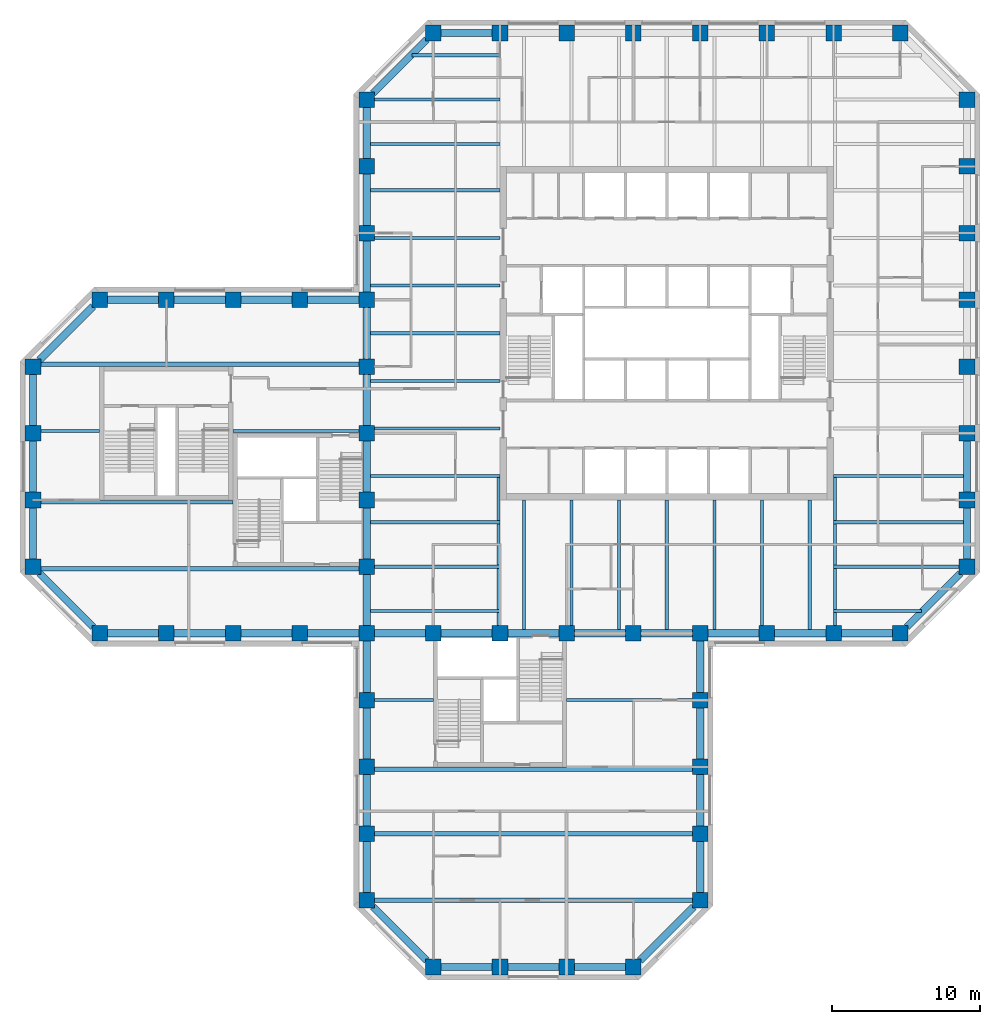
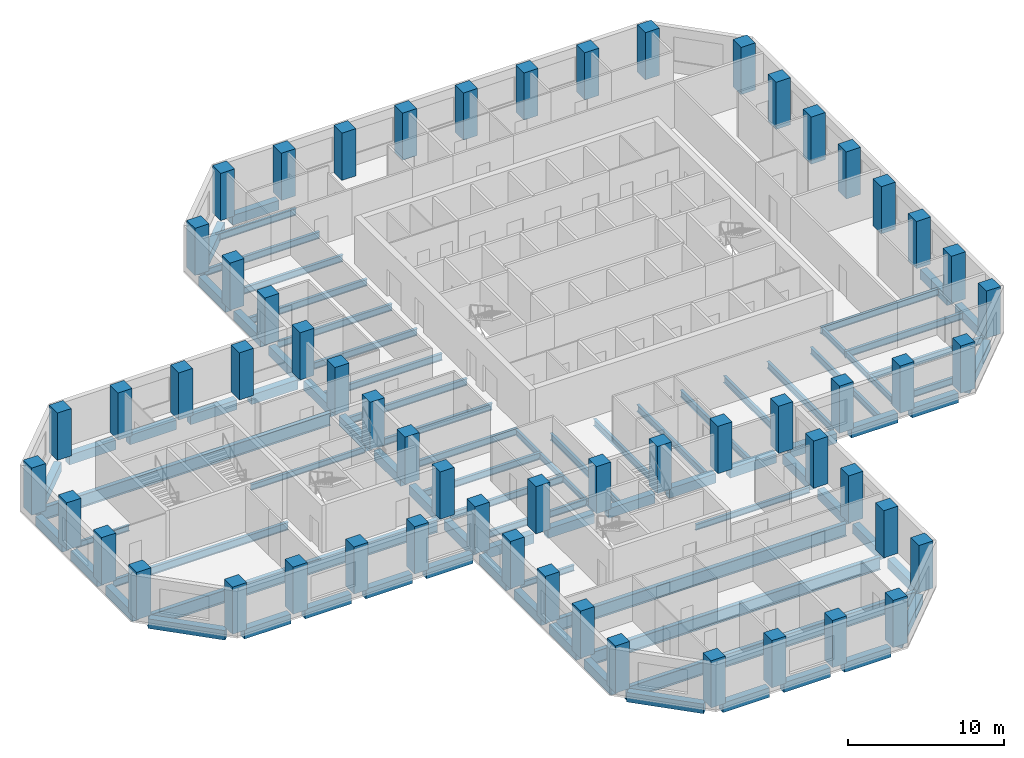
# One storey, part 1 of 11: 83 beams, 57 columns.
"""IFC4 building model written with IfcOpenShell, lengths in metres."""

import ifcopenshell
import ifcopenshell.guid

model = None  # the IFC model being written
_history = None  # IfcOwnerHistory: only IFC2X3 demands one
_inside = {}  # id of a spatial element -> (the spatial element, [elements in it])
_under = {}  # id of a project, library or spatial element -> (it, [spatial elements below it])
_declared = {}  # id of a project -> (the project, [libraries it declares])
_typed = {}  # id of a type object -> (the type object, [elements of that type])
_made_of = {}  # id of a material, layer set ... -> (it, [elements and type objects made of it])


def new_model(schema):
    """Start an empty IFC model of exactly this schema.

    Asked for "IFC4X3", IfcOpenShell would pick the latest addendum, in which some entities
    have other attributes; the version numbers below select the first issue.
    IFC2X3 requires an IfcOwnerHistory on every rooted entity: one is made here for all.
    """
    global model, _history
    if schema == "IFC4X3":
        model = ifcopenshell.file(schema_version=(4, 3, 0, 0))
    else:
        model = ifcopenshell.file(schema=schema)
    _inside.clear()
    _under.clear()
    _declared.clear()
    _typed.clear()
    _made_of.clear()
    _history = None
    if model.schema == "IFC2X3":
        org = make("IfcOrganization", Name="unknown")
        user = make(
            "IfcPersonAndOrganization",
            ThePerson=make("IfcPerson", FamilyName="unknown"),
            TheOrganization=org,
        )
        app = make(
            "IfcApplication",
            ApplicationDeveloper=org,
            Version="unknown",
            ApplicationFullName="unknown",
            ApplicationIdentifier="unknown",
        )
        _history = make(
            "IfcOwnerHistory",
            OwningUser=user,
            OwningApplication=app,
            ChangeAction="ADDED",
            CreationDate=0,
        )
    return model


def make(cls, **values):
    """One entity of the class cls with the attributes given. An attribute that is None is left unset."""
    return model.create_entity(
        cls, **{name: value for name, value in values.items() if value is not None}
    )


def rooted(cls, **values):
    """An entity with a GlobalId (a new one), such as an element, a storey or a relation."""
    return make(cls, GlobalId=ifcopenshell.guid.new(), OwnerHistory=_history, **values)


def si_unit(unit_type, name, prefix=None):
    """IfcSIUnit, for example si_unit("LENGTHUNIT", "METRE", prefix="MILLI")."""
    return make("IfcSIUnit", UnitType=unit_type, Prefix=prefix, Name=name)


def assignment(units):
    """IfcUnitAssignment: the units of a project."""
    return None if units is None else make("IfcUnitAssignment", Units=units)


def point(xyz):
    """IfcCartesianPoint."""
    return None if xyz is None else make("IfcCartesianPoint", Coordinates=xyz)


def direction(xyz):
    """IfcDirection."""
    return None if xyz is None else make("IfcDirection", DirectionRatios=xyz)


def frame(location, z_axis=None, x_axis=None):
    """IfcAxis2Placement3D, a coordinate frame: its origin and axes. An axis left out is left unset."""
    return make(
        "IfcAxis2Placement3D",
        Location=point(location),
        Axis=direction(z_axis),
        RefDirection=direction(x_axis),
    )


def frame_2d(location, x_axis=None):
    """IfcAxis2Placement2D, a coordinate frame in the plane: its origin and x axis."""
    return make(
        "IfcAxis2Placement2D", Location=point(location), RefDirection=direction(x_axis)
    )


def origin():
    """The frame at (0, 0, 0) with its axes left unset."""
    return frame((0.0, 0.0, 0.0))


def origin_2d():
    """The frame at (0, 0) in the plane with its x axis left unset."""
    return frame_2d((0.0, 0.0))


def place(relative_to, where):
    """IfcLocalPlacement: puts the frame where relative to a parent placement (None: the world)."""
    return make(
        "IfcLocalPlacement", PlacementRelTo=relative_to, RelativePlacement=where
    )


def context(
    kind, dimensions, precision=None, world=None, true_north=None, identifier=None
):
    """IfcGeometricRepresentationContext, for example the 3D "Model" context."""
    return make(
        "IfcGeometricRepresentationContext",
        ContextIdentifier=identifier,
        ContextType=kind,
        CoordinateSpaceDimension=dimensions,
        Precision=precision,
        WorldCoordinateSystem=world,
        TrueNorth=true_north,
    )


def subcontext(parent, identifier, kind, view, scale=None):
    """IfcGeometricRepresentationSubContext, for example "Body" below "Model"."""
    return make(
        "IfcGeometricRepresentationSubContext",
        ContextIdentifier=identifier,
        ContextType=kind,
        ParentContext=parent,
        TargetScale=scale,
        TargetView=view,
    )


def project(units=None, contexts=None):
    """IfcProject with its units and contexts."""
    return rooted(
        "IfcProject",
        Name="project",
        RepresentationContexts=contexts,
        UnitsInContext=assignment(units),
    )


def spatial(cls, under=None, at=None, **own):
    """A site, building, storey or space (cls), placed at a placement, below another one or the project."""
    s = rooted(cls, ObjectPlacement=at, **own)
    if under is not None:
        _under.setdefault(under.id(), (under, []))[1].append(s)
    return s


def profile(cls, at=None, kind="AREA", **sizes):
    """A parametric profile (cls). Its sizes go by their IFC names, for example OverallWidth=200.0."""
    return make(cls, ProfileType=kind, Position=at, **sizes)


def rectangle(**sizes):
    """IfcRectangleProfileDef."""
    return profile("IfcRectangleProfileDef", **sizes)


def i_section(**sizes):
    """IfcIShapeProfileDef."""
    return profile("IfcIShapeProfileDef", **sizes)


def extrude(swept, where, along, depth):
    """IfcExtrudedAreaSolid: the profile swept, set in the frame where, extruded along a direction by depth."""
    return make(
        "IfcExtrudedAreaSolid",
        SweptArea=swept,
        Position=where,
        ExtrudedDirection=direction(along),
        Depth=depth,
    )


def shape(context_of_items, identifier, shape_type, items):
    """IfcShapeRepresentation: the items that make up one representation, for example the "Body"."""
    return make(
        "IfcShapeRepresentation",
        ContextOfItems=context_of_items,
        RepresentationIdentifier=identifier,
        RepresentationType=shape_type,
        Items=items,
    )


def material(Name=None, Category=None):
    """IfcMaterial."""
    return make("IfcMaterial", Name=Name, Category=Category)


def material_profile(
    of_material, cross_section, Name=None, Category=None, Priority=None
):
    """IfcMaterialProfile: a cross section and its material."""
    return make(
        "IfcMaterialProfile",
        Name=Name,
        Material=of_material,
        Profile=cross_section,
        Priority=Priority,
        Category=Category,
    )


def profile_set(profiles, Name=None, composite=None):
    """IfcMaterialProfileSet."""
    return make(
        "IfcMaterialProfileSet",
        Name=Name,
        MaterialProfiles=profiles,
        CompositeProfile=composite,
    )


def made_of(thing, what):
    """Note that an element or type object is made of a material, layer set ...; save() writes the relation."""
    if what is not None:
        _made_of.setdefault(what.id(), (what, []))[1].append(thing)
    return thing


def type_object(cls, material=None, **own):
    """A type object (cls), such as IfcWallType, which elements share."""
    return made_of(rooted(cls, **own), material)


def element(
    cls,
    number,
    at=None,
    inside=None,
    cuts=None,
    type_object=None,
    material=None,
    context=None,
    identifier="Body",
    shape_type=None,
    held_by="IfcProductDefinitionShape",
    body=None,
    shapes=None,
    **own,
):
    """One element of the class cls, such as IfcWall. Its Tag is "e" and its number.

    at: its placement. inside: the storey or other place that contains it. cuts: it is an
    opening in that element (IfcRelVoidsElement). A single representation is given by context,
    identifier, shape_type and body (its items); several are given by shapes. held_by: the class
    of the entity that holds the representations. save() writes the other relations.
    """
    e = rooted(cls, Tag="e%d" % number, ObjectPlacement=at, **own)
    if body is not None:
        shapes = [shape(context, identifier, shape_type, body)]
    if shapes is not None:
        e.Representation = make(held_by, Representations=shapes)
    if inside is not None:
        _inside.setdefault(inside.id(), (inside, []))[1].append(e)
    if cuts is not None:
        rooted(
            "IfcRelVoidsElement", RelatingBuildingElement=cuts, RelatedOpeningElement=e
        )
    if type_object is not None:
        _typed.setdefault(type_object.id(), (type_object, []))[1].append(e)
    return made_of(e, material)


def aggregate(whole, parts):
    """IfcRelAggregates: a whole, such as a stair, and the parts it consists of."""
    return rooted("IfcRelAggregates", RelatingObject=whole, RelatedObjects=parts)


def save(model, path):
    """Write the relations noted so far, then the file.

    IfcRelAggregates (storeys below a building ...), IfcRelContainedInSpatialStructure (elements
    in a storey), IfcRelDefinesByType, IfcRelAssociatesMaterial and IfcRelDeclares: one each for
    every whole, place, type object, material and project.
    """
    for whole, parts in _under.values():
        aggregate(whole, parts)
    for where, things in _inside.values():
        rooted(
            "IfcRelContainedInSpatialStructure",
            RelatedElements=things,
            RelatingStructure=where,
        )
    for kind, things in _typed.values():
        rooted("IfcRelDefinesByType", RelatedObjects=things, RelatingType=kind)
    for what, things in _made_of.values():
        rooted("IfcRelAssociatesMaterial", RelatedObjects=things, RelatingMaterial=what)
    for by, libraries in _declared.values():
        rooted("IfcRelDeclares", RelatingContext=by, RelatedDefinitions=libraries)
    model.write(path)


model = new_model("IFC4")

# Units and contexts
model_context = context("Model", 3, precision=1e-05, world=origin(), true_north=direction((0.0, 1.0)))
body_context = subcontext(model_context, "Body", "Model", "MODEL_VIEW")
ifc_project = project(units=[si_unit("LENGTHUNIT", "METRE"), si_unit("AREAUNIT", "SQUARE_METRE"), si_unit("VOLUMEUNIT", "CUBIC_METRE"), si_unit("PLANEANGLEUNIT", "RADIAN"), si_unit("MASSUNIT", "GRAM", prefix="KILO")], contexts=[model_context])

# Site, building, storey
site_placement = place(None, origin())
site = spatial("IfcSite", under=ifc_project, at=site_placement, CompositionType="ELEMENT")
building_placement = place(site_placement, origin())
building = spatial("IfcBuilding", under=site, at=building_placement, Name="Quoin Convention Tower", CompositionType="ELEMENT")
storey_placement = place(building_placement, frame((0.0, 0.0, 115.89990234375)))
storey = spatial("IfcBuildingStorey", under=building, at=storey_placement, Name="L30", CompositionType="ELEMENT", Elevation=115.89990234375)

# Columns
ifc_material_1 = material(Name="Concrete C65", Category="concrete")
ifc_material_profile_1 = material_profile(ifc_material_1, rectangle(XDim=1.050048828125, YDim=1.050048828125, at=origin_2d()), Name="RC 1050x1050")
ifc_profile_set_1 = profile_set([ifc_material_profile_1], Name="Concrete C65")
column_type = type_object("IfcColumnType", Name="RC 1050x1050 C65", PredefinedType="COLUMN", material=ifc_profile_set_1)
for number, where, z_axis, x_axis, name in (
    (1, (40.5, 18.0, 0.0), (0.0, 0.0, 1.0), (1.0, 0.0, 0.0), "col-L30-40500_18000"),
    (2, (45.0, 18.0, 0.0), (0.0, 0.0, 1.0), (1.0, 0.0, 0.0), "col-L30-45000_18000"),
    (3, (49.5, 18.0, 0.0), (0.0, 0.0, 1.0), (1.0, 0.0, 0.0), "col-L30-49500_18000"),
    (4, (54.0, 18.0, 0.0), (0.0, 0.0, 1.0), (1.0, 0.0, 0.0), "col-L30-54000_18000"),
    (5, (36.0, 22.5, 0.0), (0.0, 0.0, 1.0), (1.0, 0.0, 0.0), "col-L30-36000_22500"),
    (6, (58.5, 22.5, 0.0), (0.0, 0.0, 1.0), (1.0, 0.0, 0.0), "col-L30-58500_22500"),
    (7, (36.0, 27.0, 0.0), (0.0, 0.0, 1.0), (1.0, 0.0, 0.0), "col-L30-36000_27000"),
    (8, (58.5, 27.0, 0.0), (0.0, 0.0, 1.0), (1.0, 0.0, 0.0), "col-L30-58500_27000"),
    (9, (36.0, 31.5, 0.0), (0.0, 0.0, 1.0), (1.0, 0.0, 0.0), "col-L30-36000_31500"),
    (10, (58.5, 31.5, 0.0), (0.0, 0.0, 1.0), (1.0, 0.0, 0.0), "col-L30-58500_31500"),
    (11, (36.0, 36.0, 0.0), (0.0, 0.0, 1.0), (1.0, 0.0, 0.0), "col-L30-36000_36000"),
    (12, (58.5, 36.0, 0.0), (0.0, 0.0, 1.0), (1.0, 0.0, 0.0), "col-L30-58500_36000"),
    (13, (18.0, 40.5, 0.0), (0.0, 0.0, 1.0), (1.0, 0.0, 0.0), "col-L30-18000_40500"),
    (14, (22.5, 40.5, 0.0), (0.0, 0.0, 1.0), (1.0, 0.0, 0.0), "col-L30-22500_40500"),
    (15, (27.0, 40.5, 0.0), (0.0, 0.0, 1.0), (1.0, 0.0, 0.0), "col-L30-27000_40500"),
    (16, (31.5, 40.5, 0.0), (0.0, 0.0, 1.0), (1.0, 0.0, 0.0), "col-L30-31500_40500"),
    (17, (36.0, 40.5, 0.0), (0.0, 0.0, 1.0), (1.0, 0.0, 0.0), "col-L30-36000_40500"),
    (18, (40.5, 40.5, 0.0), (0.0, 0.0, 1.0), (1.0, 0.0, 0.0), "web-L30-40500_40500"),
    (19, (45.0, 40.5, 0.0), (0.0, 0.0, 1.0), (1.0, 0.0, 0.0), "web-L30-45000_40500"),
    (20, (49.5, 40.5, 0.0), (0.0, 0.0, 1.0), (1.0, 0.0, 0.0), "web-L30-49500_40500"),
    (21, (54.0, 40.5, 0.0), (0.0, 0.0, 1.0), (1.0, 0.0, 0.0), "web-L30-54000_40500"),
    (22, (58.5, 40.5, 0.0), (0.0, 0.0, 1.0), (1.0, 0.0, 0.0), "col-L30-58500_40500"),
    (23, (63.0, 40.5, 0.0), (0.0, 0.0, 1.0), (1.0, 0.0, 0.0), "col-L30-63000_40500"),
    (24, (67.5, 40.5, 0.0), (0.0, 0.0, 1.0), (1.0, 0.0, 0.0), "col-L30-67500_40500"),
    (25, (72.0, 40.5, 0.0), (0.0, 0.0, 1.0), (1.0, 0.0, 0.0), "col-L30-72000_40500"),
    (26, (13.5, 45.0, 0.0), (0.0, 0.0, 1.0), (1.0, 0.0, 0.0), "col-L30-13500_45000"),
    (27, (36.0, 45.0, 0.0), (0.0, 0.0, 1.0), (1.0, 0.0, 0.0), "web-L30-36000_45000"),
    (28, (76.5, 45.0, 0.0), (0.0, 0.0, 1.0), (1.0, 0.0, 0.0), "col-L30-76500_45000"),
    (29, (13.5, 49.5, 0.0), (0.0, 0.0, 1.0), (1.0, 0.0, 0.0), "col-L30-13500_49500"),
    (30, (36.0, 49.5, 0.0), (0.0, 0.0, 1.0), (1.0, 0.0, 0.0), "web-L30-36000_49500"),
    (31, (76.5, 49.5, 0.0), (0.0, 0.0, 1.0), (1.0, 0.0, 0.0), "col-L30-76500_49500"),
    (32, (13.5, 54.0, 0.0), (0.0, 0.0, 1.0), (1.0, 0.0, 0.0), "col-L30-13500_54000"),
    (33, (36.0, 54.0, 0.0), (0.0, 0.0, 1.0), (1.0, 0.0, 0.0), "web-L30-36000_54000"),
    (34, (76.5, 54.0, 0.0), (0.0, 0.0, 1.0), (1.0, 0.0, 0.0), "col-L30-76500_54000"),
    (35, (13.5, 58.5, 0.0), (0.0, 0.0, 1.0), (1.0, 0.0, 0.0), "col-L30-13500_58500"),
    (36, (36.0, 58.5, 0.0), (0.0, 0.0, 1.0), (1.0, 0.0, 0.0), "web-L30-36000_58500"),
    (37, (76.5, 58.5, 0.0), (0.0, 0.0, 1.0), (1.0, 0.0, 0.0), "col-L30-76500_58500"),
    (38, (18.0, 63.0, 0.0), (0.0, 0.0, 1.0), (1.0, 0.0, 0.0), "col-L30-18000_63000"),
    (39, (22.5, 63.0, 0.0), (0.0, 0.0, 1.0), (1.0, 0.0, 0.0), "col-L30-22500_63000"),
    (40, (27.0, 63.0, 0.0), (0.0, 0.0, 1.0), (1.0, 0.0, 0.0), "col-L30-27000_63000"),
    (41, (31.5, 63.0, 0.0), (0.0, 0.0, 1.0), (1.0, 0.0, 0.0), "col-L30-31500_63000"),
    (42, (36.0, 63.0, 0.0), (0.0, 0.0, 1.0), (1.0, 0.0, 0.0), "col-L30-36000_63000"),
    (43, (76.5, 63.0, 0.0), (0.0, 0.0, 1.0), (1.0, 0.0, 0.0), "col-L30-76500_63000"),
    (44, (36.0, 67.5, 0.0), (0.0, 0.0, 1.0), (1.0, 0.0, 0.0), "col-L30-36000_67500"),
    (45, (76.5, 67.5, 0.0), (0.0, 0.0, 1.0), (1.0, 0.0, 0.0), "col-L30-76500_67500"),
    (46, (36.0, 72.0, 0.0), (0.0, 0.0, 1.0), (1.0, 0.0, 0.0), "col-L30-36000_72000"),
    (47, (76.5, 72.0, 0.0), (0.0, 0.0, 1.0), (1.0, 0.0, 0.0), "col-L30-76500_72000"),
    (48, (36.0, 76.5, 0.0), (0.0, 0.0, 1.0), (1.0, 0.0, 0.0), "col-L30-36000_76500"),
    (49, (76.5, 76.5, 0.0), (0.0, 0.0, 1.0), (1.0, 0.0, 0.0), "col-L30-76500_76500"),
    (50, (40.5, 81.0, 0.0), (0.0, 0.0, 1.0), (1.0, 0.0, 0.0), "col-L30-40500_81000"),
    (51, (45.0, 81.0, 0.0), (0.0, 0.0, 1.0), (1.0, 0.0, 0.0), "col-L30-45000_81000"),
    (52, (49.5, 81.0, 0.0), (0.0, 0.0, 1.0), (1.0, 0.0, 0.0), "col-L30-49500_81000"),
    (53, (54.0, 81.0, 0.0), (0.0, 0.0, 1.0), (1.0, 0.0, 0.0), "col-L30-54000_81000"),
    (54, (58.5, 81.0, 0.0), (0.0, 0.0, 1.0), (1.0, 0.0, 0.0), "col-L30-58500_81000"),
    (55, (63.0, 81.0, 0.0), (0.0, 0.0, 1.0), (1.0, 0.0, 0.0), "col-L30-63000_81000"),
    (56, (67.5, 81.0, 0.0), (0.0, 0.0, 1.0), (1.0, 0.0, 0.0), "col-L30-67500_81000"),
    (57, (72.0, 81.0, 0.0), (0.0, 0.0, 1.0), (1.0, 0.0, 0.0), "col-L30-72000_81000"),
):
    element("IfcColumn", number, at=place(storey_placement, frame(where, z_axis=z_axis, x_axis=x_axis)), inside=storey, type_object=column_type, Name=name, PredefinedType="COLUMN", context=body_context, shape_type="SweptSolid", body=[
        extrude(rectangle(XDim=1.050048828125, YDim=1.050048828125, at=origin_2d()), origin(), (0.0, 0.0, 1.0), 3.7001953125),
    ])

# Beams
ifc_material_2 = material(Name="Steel Grade 300", Category="steel")
ifc_material_profile_2 = material_profile(ifc_material_2, i_section(OverallWidth=0.300048828125, OverallDepth=1.0, WebThickness=0.01611328125, FlangeThickness=0.02001953125, at=origin_2d()), Name="1000WB215")
ifc_profile_set_2 = profile_set([ifc_material_profile_2], Name="Steel Grade 300")
beam_type_1 = type_object("IfcBeamType", Name="1000WB215", PredefinedType="BEAM", material=ifc_profile_set_2)
for number, where, z_axis, x_axis, name in (
    (58, (36.52490234375, 22.5, -0.64990234375), (1.0, 0.0, 0.0), (0.0, 1.0, 0.0), "gir-L30-ST3-1-0"),
    (59, (36.52490234375, 27.0, -0.64990234375), (1.0, 0.0, 0.0), (0.0, 1.0, 0.0), "gir-L30-ST3-2-0"),
    (60, (36.52490234375, 31.35009765625, -0.64990234375), (1.0, 0.0, 0.0), (0.0, 1.0, 0.0), "gir-L30-ST3-3-0"),
    (61, (14.02490234375, 44.85009765625, -0.64990234375), (1.0, 0.0, 0.0), (0.0, 1.0, 0.0), "gir-L30-ST2-1-0"),
    (62, (14.02490234375, 58.64990234375, -0.64990234375), (1.0, 0.0, 0.0), (0.0, 1.0, 0.0), "gir-L30-ST2-4-0"),
):
    element("IfcBeam", number, at=place(storey_placement, frame(where, z_axis=z_axis, x_axis=x_axis)), inside=storey, type_object=beam_type_1, Name=name, PredefinedType="BEAM", context=body_context, shape_type="SweptSolid", body=[
        extrude(i_section(OverallWidth=0.300048828125, OverallDepth=1.0, WebThickness=0.01611328125, FlangeThickness=0.02001953125, at=origin_2d()), origin(), (0.0, 0.0, 1.0), 21.4501953125),
    ])
ifc_material_profile_3 = material_profile(ifc_material_2, i_section(OverallWidth=0.18994140625, OverallDepth=0.4541015625, WebThickness=0.008544921875, FlangeThickness=0.0126953125, FilletRadius=0.011474609375, at=origin_2d()), Name="460UB67.1")
ifc_profile_set_3 = profile_set([ifc_material_profile_3], Name="Steel Grade 300")
beam_type_2 = type_object("IfcBeamType", Name="460UB67.1", PredefinedType="BEAM", material=ifc_profile_set_3)
for number, where, z_axis, x_axis, name in (
    (63, (44.8955078125, 41.02490234375, -0.376953125), (0.0, 1.0, 0.0), (-1.0, 0.0, 0.0), "gir-L30-T1SW"),
    (64, (67.6044921875, 41.02490234375, -0.376953125), (0.0, 1.0, 0.0), (-1.0, 0.0, 0.0), "gir-L30-T1SE"),
):
    element("IfcBeam", number, at=place(storey_placement, frame(where, z_axis=z_axis, x_axis=x_axis)), inside=storey, type_object=beam_type_2, Name=name, PredefinedType="BEAM", context=body_context, shape_type="SweptSolid", body=[
        extrude(i_section(OverallWidth=0.18994140625, OverallDepth=0.4541015625, WebThickness=0.008544921875, FlangeThickness=0.0126953125, FilletRadius=0.011474609375, at=origin_2d()), origin(), (0.0, 0.0, 1.0), 9.977783203125),
    ])
beam_1_placement = place(storey_placement, frame((36.52490234375, 36.0, -0.376953125), z_axis=(1.0, 0.0, 0.0), x_axis=(0.0, 1.0, 0.0)))
element("IfcBeam", 65, at=beam_1_placement, inside=storey, type_object=beam_type_2, Name="gir-L30-ST3-4-0", PredefinedType="BEAM", context=body_context, shape_type="SweptSolid", body=[
    extrude(i_section(OverallWidth=0.18994140625, OverallDepth=0.4541015625, WebThickness=0.008544921875, FlangeThickness=0.0126953125, FilletRadius=0.011474609375, at=origin_2d()), origin(), (0.0, 0.0, 1.0), 3.97509765625),
])
beam_2_placement = place(storey_placement, frame((49.5, 36.0, -0.376953125), z_axis=(1.0, 0.0, 0.0), x_axis=(0.0, 1.0, 0.0)))
element("IfcBeam", 66, at=beam_2_placement, inside=storey, type_object=beam_type_2, Name="gir-L30-ST3-4-1", PredefinedType="BEAM", context=body_context, shape_type="SweptSolid", body=[
    extrude(i_section(OverallWidth=0.18994140625, OverallDepth=0.4541015625, WebThickness=0.008544921875, FlangeThickness=0.0126953125, FilletRadius=0.011474609375, at=origin_2d()), origin(), (0.0, 0.0, 1.0), 8.47509765625),
])
beam_3_placement = place(storey_placement, frame((14.02490234375, 54.14990234375, -0.376953125), z_axis=(1.0, 0.0, 0.0), x_axis=(0.0, 1.0, 0.0)))
element("IfcBeam", 67, at=beam_3_placement, inside=storey, type_object=beam_type_2, Name="gir-L30-ST2-3-0", PredefinedType="BEAM", context=body_context, shape_type="SweptSolid", body=[
    extrude(i_section(OverallWidth=0.18994140625, OverallDepth=0.4541015625, WebThickness=0.008544921875, FlangeThickness=0.0126953125, FilletRadius=0.011474609375, at=origin_2d()), origin(), (0.0, 0.0, 1.0), 3.97509765625),
])
beam_4_placement = place(storey_placement, frame((27.0, 54.14990234375, -0.376953125), z_axis=(1.0, 0.0, 0.0), x_axis=(0.0, 1.0, 0.0)))
element("IfcBeam", 68, at=beam_4_placement, inside=storey, type_object=beam_type_2, Name="gir-L30-ST2-3-1", PredefinedType="BEAM", context=body_context, shape_type="SweptSolid", body=[
    extrude(i_section(OverallWidth=0.18994140625, OverallDepth=0.4541015625, WebThickness=0.008544921875, FlangeThickness=0.0126953125, FilletRadius=0.011474609375, at=origin_2d()), origin(), (0.0, 0.0, 1.0), 8.47509765625),
])
ifc_material_profile_4 = material_profile(ifc_material_2, i_section(OverallWidth=0.208984375, OverallDepth=0.528076171875, WebThickness=0.009521484375, FlangeThickness=0.01318359375, FilletRadius=0.013916015625, at=origin_2d()), Name="530UB82.0")
ifc_profile_set_4 = profile_set([ifc_material_profile_4], Name="Steel Grade 300")
beam_type_3 = type_object("IfcBeamType", Name="530UB82.0", PredefinedType="BEAM", material=ifc_profile_set_4)
beam_5_placement = place(storey_placement, frame((36.25, 51.107177734375, -0.413818359375), z_axis=(1.0, 0.0, 0.0), x_axis=(0.0, 1.0, 0.0)))
element("IfcBeam", 69, at=beam_5_placement, inside=storey, type_object=beam_type_3, Name="bm-L30-T1W0", PredefinedType="BEAM", context=body_context, shape_type="SweptSolid", body=[
    extrude(i_section(OverallWidth=0.208984375, OverallDepth=0.528076171875, WebThickness=0.009521484375, FlangeThickness=0.01318359375, FilletRadius=0.013916015625, at=origin_2d()), origin(), (0.0, 0.0, 1.0), 8.75),
])
beam_6_placement = place(storey_placement, frame((36.52490234375, 54.3212890625, -0.413818359375), z_axis=(1.0, 0.0, 0.0), x_axis=(0.0, 1.0, 0.0)))
element("IfcBeam", 70, at=beam_6_placement, inside=storey, type_object=beam_type_3, Name="bm-L30-T1W1", PredefinedType="BEAM", context=body_context, shape_type="SweptSolid", body=[
    extrude(i_section(OverallWidth=0.208984375, OverallDepth=0.528076171875, WebThickness=0.009521484375, FlangeThickness=0.01318359375, FilletRadius=0.013916015625, at=origin_2d()), origin(), (0.0, 0.0, 1.0), 8.47509765625),
])
for number, where, z_axis, x_axis, name in (
    (71, (36.25, 57.53564453125, -0.413818359375), (1.0, 0.0, 0.0), (0.0, 1.0, 0.0), "bm-L30-T1W2"),
    (72, (36.25, 60.75, -0.413818359375), (1.0, 0.0, 0.0), (0.0, 1.0, 0.0), "bm-L30-T1W3"),
    (73, (36.25, 63.96435546875, -0.413818359375), (1.0, 0.0, 0.0), (0.0, 1.0, 0.0), "bm-L30-T1W4"),
):
    element("IfcBeam", number, at=place(storey_placement, frame(where, z_axis=z_axis, x_axis=x_axis)), inside=storey, type_object=beam_type_3, Name=name, PredefinedType="BEAM", context=body_context, shape_type="SweptSolid", body=[
        extrude(i_section(OverallWidth=0.208984375, OverallDepth=0.528076171875, WebThickness=0.009521484375, FlangeThickness=0.01318359375, FilletRadius=0.013916015625, at=origin_2d()), origin(), (0.0, 0.0, 1.0), 8.75),
    ])
beam_7_placement = place(storey_placement, frame((36.52490234375, 67.1787109375, -0.413818359375), z_axis=(1.0, 0.0, 0.0), x_axis=(0.0, 1.0, 0.0)))
element("IfcBeam", 74, at=beam_7_placement, inside=storey, type_object=beam_type_3, Name="bm-L30-T1W5", PredefinedType="BEAM", context=body_context, shape_type="SweptSolid", body=[
    extrude(i_section(OverallWidth=0.208984375, OverallDepth=0.528076171875, WebThickness=0.009521484375, FlangeThickness=0.01318359375, FilletRadius=0.013916015625, at=origin_2d()), origin(), (0.0, 0.0, 1.0), 8.47509765625),
])
for number, where, z_axis, x_axis, name in (
    (75, (36.25, 70.392822265625, -0.413818359375), (1.0, 0.0, 0.0), (0.0, 1.0, 0.0), "bm-L30-T1W6"),
    (76, (67.5, 51.107177734375, -0.413818359375), (1.0, 0.0, 0.0), (0.0, 1.0, 0.0), "bm-L30-T1E0"),
    (77, (46.607177734375, 40.75, -0.413818359375), (0.0, 1.0, 0.0), (-1.0, 0.0, 0.0), "bm-L30-T1S0"),
):
    element("IfcBeam", number, at=place(storey_placement, frame(where, z_axis=z_axis, x_axis=x_axis)), inside=storey, type_object=beam_type_3, Name=name, PredefinedType="BEAM", context=body_context, shape_type="SweptSolid", body=[
        extrude(i_section(OverallWidth=0.208984375, OverallDepth=0.528076171875, WebThickness=0.009521484375, FlangeThickness=0.01318359375, FilletRadius=0.013916015625, at=origin_2d()), origin(), (0.0, 0.0, 1.0), 8.75),
    ])
beam_8_placement = place(storey_placement, frame((49.8212890625, 41.02490234375, -0.413818359375), z_axis=(0.0, 1.0, 0.0), x_axis=(-1.0, 0.0, 0.0)))
element("IfcBeam", 78, at=beam_8_placement, inside=storey, type_object=beam_type_3, Name="bm-L30-T1S1", PredefinedType="BEAM", context=body_context, shape_type="SweptSolid", body=[
    extrude(i_section(OverallWidth=0.208984375, OverallDepth=0.528076171875, WebThickness=0.009521484375, FlangeThickness=0.01318359375, FilletRadius=0.013916015625, at=origin_2d()), origin(), (0.0, 0.0, 1.0), 8.47509765625),
])
for number, where, z_axis, x_axis, name in (
    (79, (53.03564453125, 40.75, -0.413818359375), (0.0, 1.0, 0.0), (-1.0, 0.0, 0.0), "bm-L30-T1S2"),
    (80, (56.25, 40.75, -0.413818359375), (0.0, 1.0, 0.0), (-1.0, 0.0, 0.0), "bm-L30-T1S3"),
    (81, (59.46435546875, 40.75, -0.413818359375), (0.0, 1.0, 0.0), (-1.0, 0.0, 0.0), "bm-L30-T1S4"),
):
    element("IfcBeam", number, at=place(storey_placement, frame(where, z_axis=z_axis, x_axis=x_axis)), inside=storey, type_object=beam_type_3, Name=name, PredefinedType="BEAM", context=body_context, shape_type="SweptSolid", body=[
        extrude(i_section(OverallWidth=0.208984375, OverallDepth=0.528076171875, WebThickness=0.009521484375, FlangeThickness=0.01318359375, FilletRadius=0.013916015625, at=origin_2d()), origin(), (0.0, 0.0, 1.0), 8.75),
    ])
beam_9_placement = place(storey_placement, frame((62.6787109375, 41.02490234375, -0.413818359375), z_axis=(0.0, 1.0, 0.0), x_axis=(-1.0, 0.0, 0.0)))
element("IfcBeam", 82, at=beam_9_placement, inside=storey, type_object=beam_type_3, Name="bm-L30-T1S5", PredefinedType="BEAM", context=body_context, shape_type="SweptSolid", body=[
    extrude(i_section(OverallWidth=0.208984375, OverallDepth=0.528076171875, WebThickness=0.009521484375, FlangeThickness=0.01318359375, FilletRadius=0.013916015625, at=origin_2d()), origin(), (0.0, 0.0, 1.0), 8.47509765625),
])
for number, where, z_axis, x_axis, name in (
    (83, (65.892822265625, 40.75, -0.413818359375), (0.0, 1.0, 0.0), (-1.0, 0.0, 0.0), "bm-L30-T1S6"),
    (84, (36.25, 42.0, -0.413818359375), (1.0, 0.0, 0.0), (0.0, 1.0, 0.0), "bm-L30-T1SW0"),
):
    element("IfcBeam", number, at=place(storey_placement, frame(where, z_axis=z_axis, x_axis=x_axis)), inside=storey, type_object=beam_type_3, Name=name, PredefinedType="BEAM", context=body_context, shape_type="SweptSolid", body=[
        extrude(i_section(OverallWidth=0.208984375, OverallDepth=0.528076171875, WebThickness=0.009521484375, FlangeThickness=0.01318359375, FilletRadius=0.013916015625, at=origin_2d()), origin(), (0.0, 0.0, 1.0), 8.75),
    ])
beam_10_placement = place(storey_placement, frame((36.52490234375, 45.0, -0.413818359375), z_axis=(1.0, 0.0, 0.0), x_axis=(0.0, 1.0, 0.0)))
element("IfcBeam", 85, at=beam_10_placement, inside=storey, type_object=beam_type_3, Name="bm-L30-T1SW1", PredefinedType="BEAM", context=body_context, shape_type="SweptSolid", body=[
    extrude(i_section(OverallWidth=0.208984375, OverallDepth=0.528076171875, WebThickness=0.009521484375, FlangeThickness=0.01318359375, FilletRadius=0.013916015625, at=origin_2d()), origin(), (0.0, 0.0, 1.0), 8.47509765625),
])
beam_11_placement = place(storey_placement, frame((36.25, 48.0, -0.413818359375), z_axis=(1.0, 0.0, 0.0), x_axis=(0.0, 1.0, 0.0)))
element("IfcBeam", 86, at=beam_11_placement, inside=storey, type_object=beam_type_3, Name="bm-L30-T1SW2", PredefinedType="BEAM", context=body_context, shape_type="SweptSolid", body=[
    extrude(i_section(OverallWidth=0.208984375, OverallDepth=0.528076171875, WebThickness=0.009521484375, FlangeThickness=0.01318359375, FilletRadius=0.013916015625, at=origin_2d()), origin(), (0.0, 0.0, 1.0), 8.75),
])
beam_12_placement = place(storey_placement, frame((67.5, 42.0, -0.413818359375), z_axis=(1.0, 0.0, 0.0), x_axis=(0.0, 1.0, 0.0)))
element("IfcBeam", 87, at=beam_12_placement, inside=storey, type_object=beam_type_3, Name="bm-L30-T1SE0", PredefinedType="BEAM", context=body_context, shape_type="SweptSolid", body=[
    extrude(i_section(OverallWidth=0.208984375, OverallDepth=0.528076171875, WebThickness=0.009521484375, FlangeThickness=0.01318359375, FilletRadius=0.013916015625, at=origin_2d()), origin(), (0.0, 0.0, 1.0), 5.927734375),
])
beam_13_placement = place(storey_placement, frame((67.5, 45.0, -0.413818359375), z_axis=(1.0, 0.0, 0.0), x_axis=(0.0, 1.0, 0.0)))
element("IfcBeam", 88, at=beam_13_placement, inside=storey, type_object=beam_type_3, Name="bm-L30-T1SE1", PredefinedType="BEAM", context=body_context, shape_type="SweptSolid", body=[
    extrude(i_section(OverallWidth=0.208984375, OverallDepth=0.528076171875, WebThickness=0.009521484375, FlangeThickness=0.01318359375, FilletRadius=0.013916015625, at=origin_2d()), origin(), (0.0, 0.0, 1.0), 8.47509765625),
])
beam_14_placement = place(storey_placement, frame((67.5, 48.0, -0.413818359375), z_axis=(1.0, 0.0, 0.0), x_axis=(0.0, 1.0, 0.0)))
element("IfcBeam", 89, at=beam_14_placement, inside=storey, type_object=beam_type_3, Name="bm-L30-T1SE2", PredefinedType="BEAM", context=body_context, shape_type="SweptSolid", body=[
    extrude(i_section(OverallWidth=0.208984375, OverallDepth=0.528076171875, WebThickness=0.009521484375, FlangeThickness=0.01318359375, FilletRadius=0.013916015625, at=origin_2d()), origin(), (0.0, 0.0, 1.0), 8.75),
])
beam_15_placement = place(storey_placement, frame((39.072265625, 79.5, -0.413818359375), z_axis=(1.0, 0.0, 0.0), x_axis=(0.0, 1.0, 0.0)))
element("IfcBeam", 90, at=beam_15_placement, inside=storey, type_object=beam_type_3, Name="bm-L30-T1NW0", PredefinedType="BEAM", context=body_context, shape_type="SweptSolid", body=[
    extrude(i_section(OverallWidth=0.208984375, OverallDepth=0.528076171875, WebThickness=0.009521484375, FlangeThickness=0.01318359375, FilletRadius=0.013916015625, at=origin_2d()), origin(), (0.0, 0.0, 1.0), 5.927734375),
])
beam_16_placement = place(storey_placement, frame((36.52490234375, 76.5, -0.413818359375), z_axis=(1.0, 0.0, 0.0), x_axis=(0.0, 1.0, 0.0)))
element("IfcBeam", 91, at=beam_16_placement, inside=storey, type_object=beam_type_3, Name="bm-L30-T1NW1", PredefinedType="BEAM", context=body_context, shape_type="SweptSolid", body=[
    extrude(i_section(OverallWidth=0.208984375, OverallDepth=0.528076171875, WebThickness=0.009521484375, FlangeThickness=0.01318359375, FilletRadius=0.013916015625, at=origin_2d()), origin(), (0.0, 0.0, 1.0), 8.47509765625),
])
beam_17_placement = place(storey_placement, frame((36.25, 73.5, -0.413818359375), z_axis=(1.0, 0.0, 0.0), x_axis=(0.0, 1.0, 0.0)))
element("IfcBeam", 92, at=beam_17_placement, inside=storey, type_object=beam_type_3, Name="bm-L30-T1NW2", PredefinedType="BEAM", context=body_context, shape_type="SweptSolid", body=[
    extrude(i_section(OverallWidth=0.208984375, OverallDepth=0.528076171875, WebThickness=0.009521484375, FlangeThickness=0.01318359375, FilletRadius=0.013916015625, at=origin_2d()), origin(), (0.0, 0.0, 1.0), 8.75),
])
ifc_material_profile_5 = material_profile(ifc_material_2, i_section(OverallWidth=0.22802734375, OverallDepth=0.60205078125, WebThickness=0.010498046875, FlangeThickness=0.014892578125, FilletRadius=0.013916015625, at=origin_2d()), Name="610UB101")
ifc_profile_set_5 = profile_set([ifc_material_profile_5], Name="Steel Grade 300")
beam_type_4 = type_object("IfcBeamType", Name="610UB101", PredefinedType="BEAM", material=ifc_profile_set_5)
beam_18_placement = place(storey_placement, frame((14.02490234375, 49.35009765625, -0.450927734375), z_axis=(1.0, 0.0, 0.0), x_axis=(0.0, 1.0, 0.0)))
element("IfcBeam", 93, at=beam_18_placement, inside=storey, type_object=beam_type_4, Name="gir-L30-ST2-2-0", PredefinedType="BEAM", context=body_context, shape_type="SweptSolid", body=[
    extrude(i_section(OverallWidth=0.22802734375, OverallDepth=0.60205078125, WebThickness=0.010498046875, FlangeThickness=0.014892578125, FilletRadius=0.013916015625, at=origin_2d()), origin(), (0.0, 0.0, 1.0), 12.97509765625),
])
ifc_material_profile_6 = material_profile(ifc_material_1, rectangle(XDim=0.5, YDim=0.75, at=origin_2d()), Name="RC 500x750")
ifc_profile_set_6 = profile_set([ifc_material_profile_6], Name="Concrete C65")
beam_type_5 = type_object("IfcBeamType", Name="RC 500x750 C65", PredefinedType="SPANDREL", material=ifc_profile_set_6)
for number, where, z_axis, x_axis, name in (
    (94, (59.02490234375, 40.5, -0.52490234375), (1.0, 0.0, 0.0), (0.0, 1.0, 0.0), "spd-L30-58500_40500-63000_40500"),
    (95, (63.52490234375, 40.5, -0.52490234375), (1.0, 0.0, 0.0), (0.0, 1.0, 0.0), "spd-L30-63000_40500-67500_40500"),
    (96, (68.02490234375, 40.5, -0.52490234375), (1.0, 0.0, 0.0), (0.0, 1.0, 0.0), "spd-L30-67500_40500-72000_40500"),
):
    element("IfcBeam", number, at=place(storey_placement, frame(where, z_axis=z_axis, x_axis=x_axis)), inside=storey, type_object=beam_type_5, Name=name, PredefinedType="SPANDREL", context=body_context, shape_type="SweptSolid", body=[
        extrude(rectangle(XDim=0.5, YDim=0.75, at=origin_2d()), origin(), (0.0, 0.0, 1.0), 3.4501953125),
    ])
beam_19_placement = place(storey_placement, frame((72.440185546875, 40.940185546875, -0.52490234375), z_axis=(0.707106781187, 0.707106781187, 0.0), x_axis=(-0.707106781187, 0.707106781187, 0.0)))
element("IfcBeam", 97, at=beam_19_placement, inside=storey, type_object=beam_type_5, Name="spd-L30-72000_40500-76500_45000", PredefinedType="SPANDREL", context=body_context, shape_type="SweptSolid", body=[
    extrude(rectangle(XDim=0.5, YDim=0.75, at=origin_2d()), origin(), (0.0, 0.0, 1.0), 5.118896484375),
])
for number, where, z_axis, x_axis, name in (
    (98, (76.5, 45.52490234375, -0.52490234375), (0.0, 1.0, 0.0), (-1.0, 0.0, 0.0), "spd-L30-76500_45000-76500_49500"),
    (99, (76.5, 50.02490234375, -0.52490234375), (0.0, 1.0, 0.0), (-1.0, 0.0, 0.0), "spd-L30-76500_49500-76500_54000"),
    (100, (44.47509765625, 81.0, -0.52490234375), (-1.0, 0.0, 0.0), (0.0, -1.0, 0.0), "spd-L30-45000_81000-40500_81000"),
):
    element("IfcBeam", number, at=place(storey_placement, frame(where, z_axis=z_axis, x_axis=x_axis)), inside=storey, type_object=beam_type_5, Name=name, PredefinedType="SPANDREL", context=body_context, shape_type="SweptSolid", body=[
        extrude(rectangle(XDim=0.5, YDim=0.75, at=origin_2d()), origin(), (0.0, 0.0, 1.0), 3.4501953125),
    ])
beam_20_placement = place(storey_placement, frame((40.059814453125, 80.559814453125, -0.52490234375), z_axis=(-0.707106781187, -0.707106781187, 0.0), x_axis=(0.707106781187, -0.707106781187, 0.0)))
element("IfcBeam", 101, at=beam_20_placement, inside=storey, type_object=beam_type_5, Name="spd-L30-40500_81000-36000_76500", PredefinedType="SPANDREL", context=body_context, shape_type="SweptSolid", body=[
    extrude(rectangle(XDim=0.5, YDim=0.75, at=origin_2d()), origin(), (0.0, 0.0, 1.0), 5.118896484375),
])
for number, where, z_axis, x_axis, name in (
    (102, (36.0, 75.97509765625, -0.52490234375), (0.0, -1.0, 0.0), (1.0, 0.0, 0.0), "spd-L30-36000_76500-36000_72000"),
    (103, (36.0, 71.47509765625, -0.52490234375), (0.0, -1.0, 0.0), (1.0, 0.0, 0.0), "spd-L30-36000_72000-36000_67500"),
    (104, (36.0, 66.97509765625, -0.52490234375), (0.0, -1.0, 0.0), (1.0, 0.0, 0.0), "spd-L30-36000_67500-36000_63000"),
    (105, (35.47509765625, 63.0, -0.52490234375), (-1.0, 0.0, 0.0), (0.0, -1.0, 0.0), "spd-L30-36000_63000-31500_63000"),
    (106, (30.97509765625, 63.0, -0.52490234375), (-1.0, 0.0, 0.0), (0.0, -1.0, 0.0), "spd-L30-31500_63000-27000_63000"),
    (107, (26.47509765625, 63.0, -0.52490234375), (-1.0, 0.0, 0.0), (0.0, -1.0, 0.0), "spd-L30-27000_63000-22500_63000"),
    (108, (21.97509765625, 63.0, -0.52490234375), (-1.0, 0.0, 0.0), (0.0, -1.0, 0.0), "spd-L30-22500_63000-18000_63000"),
):
    element("IfcBeam", number, at=place(storey_placement, frame(where, z_axis=z_axis, x_axis=x_axis)), inside=storey, type_object=beam_type_5, Name=name, PredefinedType="SPANDREL", context=body_context, shape_type="SweptSolid", body=[
        extrude(rectangle(XDim=0.5, YDim=0.75, at=origin_2d()), origin(), (0.0, 0.0, 1.0), 3.4501953125),
    ])
beam_21_placement = place(storey_placement, frame((17.559814453125, 62.559814453125, -0.52490234375), z_axis=(-0.707106781187, -0.707106781187, 0.0), x_axis=(0.707106781187, -0.707106781187, 0.0)))
element("IfcBeam", 109, at=beam_21_placement, inside=storey, type_object=beam_type_5, Name="spd-L30-18000_63000-13500_58500", PredefinedType="SPANDREL", context=body_context, shape_type="SweptSolid", body=[
    extrude(rectangle(XDim=0.5, YDim=0.75, at=origin_2d()), origin(), (0.0, 0.0, 1.0), 5.118896484375),
])
for number, where, z_axis, x_axis, name in (
    (110, (13.5, 57.97509765625, -0.52490234375), (0.0, -1.0, 0.0), (1.0, 0.0, 0.0), "spd-L30-13500_58500-13500_54000"),
    (111, (13.5, 53.47509765625, -0.52490234375), (0.0, -1.0, 0.0), (1.0, 0.0, 0.0), "spd-L30-13500_54000-13500_49500"),
    (112, (13.5, 48.97509765625, -0.52490234375), (0.0, -1.0, 0.0), (1.0, 0.0, 0.0), "spd-L30-13500_49500-13500_45000"),
):
    element("IfcBeam", number, at=place(storey_placement, frame(where, z_axis=z_axis, x_axis=x_axis)), inside=storey, type_object=beam_type_5, Name=name, PredefinedType="SPANDREL", context=body_context, shape_type="SweptSolid", body=[
        extrude(rectangle(XDim=0.5, YDim=0.75, at=origin_2d()), origin(), (0.0, 0.0, 1.0), 3.4501953125),
    ])
beam_22_placement = place(storey_placement, frame((13.940185546875, 44.559814453125, -0.52490234375), z_axis=(0.707106781187, -0.707106781187, 0.0), x_axis=(0.707106781187, 0.707106781187, 0.0)))
element("IfcBeam", 113, at=beam_22_placement, inside=storey, type_object=beam_type_5, Name="spd-L30-13500_45000-18000_40500", PredefinedType="SPANDREL", context=body_context, shape_type="SweptSolid", body=[
    extrude(rectangle(XDim=0.5, YDim=0.75, at=origin_2d()), origin(), (0.0, 0.0, 1.0), 5.118896484375),
])
for number, where, z_axis, x_axis, name in (
    (114, (18.52490234375, 40.5, -0.52490234375), (1.0, 0.0, 0.0), (0.0, 1.0, 0.0), "spd-L30-18000_40500-22500_40500"),
    (115, (23.02490234375, 40.5, -0.52490234375), (1.0, 0.0, 0.0), (0.0, 1.0, 0.0), "spd-L30-22500_40500-27000_40500"),
    (116, (27.52490234375, 40.5, -0.52490234375), (1.0, 0.0, 0.0), (0.0, 1.0, 0.0), "spd-L30-27000_40500-31500_40500"),
    (117, (32.02490234375, 40.5, -0.52490234375), (1.0, 0.0, 0.0), (0.0, 1.0, 0.0), "spd-L30-31500_40500-36000_40500"),
    (118, (36.0, 39.97509765625, -0.52490234375), (0.0, -1.0, 0.0), (1.0, 0.0, 0.0), "spd-L30-36000_40500-36000_36000"),
    (119, (36.0, 35.47509765625, -0.52490234375), (0.0, -1.0, 0.0), (1.0, 0.0, 0.0), "spd-L30-36000_36000-36000_31500"),
    (120, (36.0, 30.97509765625, -0.52490234375), (0.0, -1.0, 0.0), (1.0, 0.0, 0.0), "spd-L30-36000_31500-36000_27000"),
    (121, (36.0, 26.47509765625, -0.52490234375), (0.0, -1.0, 0.0), (1.0, 0.0, 0.0), "spd-L30-36000_27000-36000_22500"),
):
    element("IfcBeam", number, at=place(storey_placement, frame(where, z_axis=z_axis, x_axis=x_axis)), inside=storey, type_object=beam_type_5, Name=name, PredefinedType="SPANDREL", context=body_context, shape_type="SweptSolid", body=[
        extrude(rectangle(XDim=0.5, YDim=0.75, at=origin_2d()), origin(), (0.0, 0.0, 1.0), 3.4501953125),
    ])
beam_23_placement = place(storey_placement, frame((36.440185546875, 22.059814453125, -0.52490234375), z_axis=(0.707106781187, -0.707106781187, 0.0), x_axis=(0.707106781187, 0.707106781187, 0.0)))
element("IfcBeam", 122, at=beam_23_placement, inside=storey, type_object=beam_type_5, Name="spd-L30-36000_22500-40500_18000", PredefinedType="SPANDREL", context=body_context, shape_type="SweptSolid", body=[
    extrude(rectangle(XDim=0.5, YDim=0.75, at=origin_2d()), origin(), (0.0, 0.0, 1.0), 5.118896484375),
])
for number, where, z_axis, x_axis, name in (
    (123, (41.02490234375, 18.0, -0.52490234375), (1.0, 0.0, 0.0), (0.0, 1.0, 0.0), "spd-L30-40500_18000-45000_18000"),
    (124, (45.52490234375, 18.0, -0.52490234375), (1.0, 0.0, 0.0), (0.0, 1.0, 0.0), "spd-L30-45000_18000-49500_18000"),
    (125, (50.02490234375, 18.0, -0.52490234375), (1.0, 0.0, 0.0), (0.0, 1.0, 0.0), "spd-L30-49500_18000-54000_18000"),
):
    element("IfcBeam", number, at=place(storey_placement, frame(where, z_axis=z_axis, x_axis=x_axis)), inside=storey, type_object=beam_type_5, Name=name, PredefinedType="SPANDREL", context=body_context, shape_type="SweptSolid", body=[
        extrude(rectangle(XDim=0.5, YDim=0.75, at=origin_2d()), origin(), (0.0, 0.0, 1.0), 3.4501953125),
    ])
beam_24_placement = place(storey_placement, frame((54.440185546875, 18.440185546875, -0.52490234375), z_axis=(0.707106781187, 0.707106781187, 0.0), x_axis=(-0.707106781187, 0.707106781187, 0.0)))
element("IfcBeam", 126, at=beam_24_placement, inside=storey, type_object=beam_type_5, Name="spd-L30-54000_18000-58500_22500", PredefinedType="SPANDREL", context=body_context, shape_type="SweptSolid", body=[
    extrude(rectangle(XDim=0.5, YDim=0.75, at=origin_2d()), origin(), (0.0, 0.0, 1.0), 5.118896484375),
])
for number, where, z_axis, x_axis, name in (
    (127, (58.5, 23.02490234375, -0.52490234375), (0.0, 1.0, 0.0), (-1.0, 0.0, 0.0), "spd-L30-58500_22500-58500_27000"),
    (128, (58.5, 27.52490234375, -0.52490234375), (0.0, 1.0, 0.0), (-1.0, 0.0, 0.0), "spd-L30-58500_27000-58500_31500"),
    (129, (58.5, 32.02490234375, -0.52490234375), (0.0, 1.0, 0.0), (-1.0, 0.0, 0.0), "spd-L30-58500_31500-58500_36000"),
    (130, (58.5, 36.52490234375, -0.52490234375), (0.0, 1.0, 0.0), (-1.0, 0.0, 0.0), "spd-L30-58500_36000-58500_40500"),
    (131, (36.52490234375, 40.5, -0.52490234375), (1.0, 0.0, 0.0), (0.0, 1.0, 0.0), "spd-L30-36000_40500-40500_40500"),
    (132, (41.02490234375, 40.5, -0.52490234375), (1.0, 0.0, 0.0), (0.0, 1.0, 0.0), "spd-L30-40500_40500-45000_40500"),
    (133, (45.52490234375, 40.5, -0.52490234375), (1.0, 0.0, 0.0), (0.0, 1.0, 0.0), "spd-L30-45000_40500-49500_40500"),
    (134, (50.02490234375, 40.5, -0.52490234375), (1.0, 0.0, 0.0), (0.0, 1.0, 0.0), "spd-L30-49500_40500-54000_40500"),
    (135, (54.52490234375, 40.5, -0.52490234375), (1.0, 0.0, 0.0), (0.0, 1.0, 0.0), "spd-L30-54000_40500-58500_40500"),
    (136, (36.0, 41.02490234375, -0.52490234375), (0.0, 1.0, 0.0), (-1.0, 0.0, 0.0), "spd-L30-36000_40500-36000_45000"),
    (137, (36.0, 45.52490234375, -0.52490234375), (0.0, 1.0, 0.0), (-1.0, 0.0, 0.0), "spd-L30-36000_45000-36000_49500"),
    (138, (36.0, 50.02490234375, -0.52490234375), (0.0, 1.0, 0.0), (-1.0, 0.0, 0.0), "spd-L30-36000_49500-36000_54000"),
    (139, (36.0, 54.52490234375, -0.52490234375), (0.0, 1.0, 0.0), (-1.0, 0.0, 0.0), "spd-L30-36000_54000-36000_58500"),
    (140, (36.0, 59.02490234375, -0.52490234375), (0.0, 1.0, 0.0), (-1.0, 0.0, 0.0), "spd-L30-36000_58500-36000_63000"),
):
    element("IfcBeam", number, at=place(storey_placement, frame(where, z_axis=z_axis, x_axis=x_axis)), inside=storey, type_object=beam_type_5, Name=name, PredefinedType="SPANDREL", context=body_context, shape_type="SweptSolid", body=[
        extrude(rectangle(XDim=0.5, YDim=0.75, at=origin_2d()), origin(), (0.0, 0.0, 1.0), 3.4501953125),
    ])

save(model, "model.ifc")
